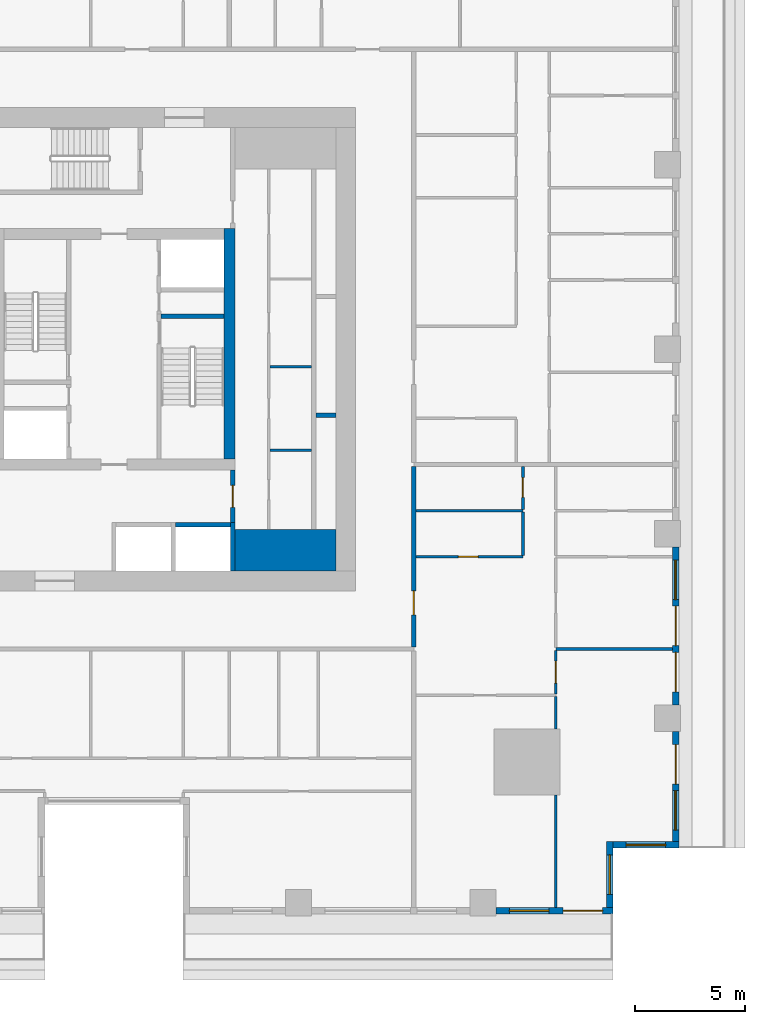
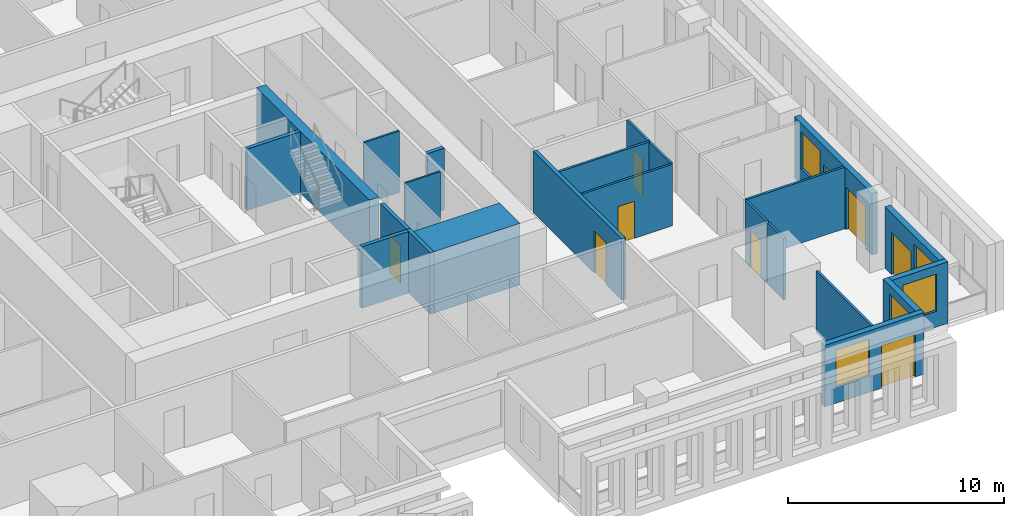
# One storey, part 5 of 15: 23 walls, 9 doors, 5 windows, 14 openings.
"""IFC4 building model written with IfcOpenShell, lengths in metres."""

from ifc_helpers import new_model, si_unit, direction, frame, frame_2d, origin, place, context, subcontext, project, spatial, rectangle, extrude, material, layer, layer_set, type_object, element, fill, save


model = new_model("IFC4")

# Units and contexts
model_context = context("Model", 3, precision=1e-05, world=origin(), true_north=direction((0.0, 1.0)))
body_context = subcontext(model_context, "Body", "Model", "MODEL_VIEW")
ifc_project = project(units=[si_unit("LENGTHUNIT", "METRE"), si_unit("AREAUNIT", "SQUARE_METRE"), si_unit("VOLUMEUNIT", "CUBIC_METRE"), si_unit("PLANEANGLEUNIT", "RADIAN"), si_unit("MASSUNIT", "GRAM", prefix="KILO")], contexts=[model_context])

# Site, building, storey
site_placement = place(None, origin())
site = spatial("IfcSite", under=ifc_project, at=site_placement, CompositionType="ELEMENT")
building_placement = place(site_placement, origin())
building = spatial("IfcBuilding", under=site, at=building_placement, Name="Khepri Terraces", CompositionType="ELEMENT")
storey_placement = place(building_placement, frame((0.0, 0.0, 30.89990234375)))
storey = spatial("IfcBuildingStorey", under=building, at=storey_placement, Name="L06", CompositionType="ELEMENT", Elevation=30.89990234375)

# Walls
ifc_material_1 = material(Name="Concrete C80/95", Category="concrete")
ifc_layer_1 = layer(ifc_material_1, 1.89990234375, Name="Concrete C80/95", Category="concrete")
ifc_layer_set_1 = layer_set([ifc_layer_1], Name="Concrete C80/95")
wall_type_1 = type_object("IfcWallType", Name="Core wall 1900 C80/95", PredefinedType="SHEAR", material=ifc_layer_set_1)
wall_1_placement = place(storey_placement, frame((5.5, -9.14990234375, 0.0), z_axis=(0.0, 0.0, 1.0), x_axis=(1.0, 0.0, 0.0)))
element("IfcWall", 1, at=wall_1_placement, inside=storey, type_object=wall_type_1, Name="Core wall PR02 L06", PredefinedType="SHEAR", context=body_context, shape_type="SweptSolid", body=[
    extrude(rectangle(XDim=4.60009765625, YDim=1.89990234375, at=frame_2d((2.300048828125, 0.0))), origin(), (0.0, 0.0, 1.0), 3.47998046875),
])
ifc_layer_2 = layer(ifc_material_1, 0.199951171875, Name="Concrete C80/95", Category="concrete")
ifc_layer_set_2 = layer_set([ifc_layer_2], Name="Concrete C80/95")
wall_type_2 = type_object("IfcWallType", Name="Core wall 200 C80/95", PredefinedType="SHEAR", material=ifc_layer_set_2)
wall_2_placement = place(storey_placement, frame((2.14990234375, 1.5, 0.0), z_axis=(0.0, 0.0, 1.0), x_axis=(1.0, 0.0, 0.0)))
element("IfcWall", 2, at=wall_2_placement, inside=storey, type_object=wall_type_2, Name="Core wall ST04 L06", PredefinedType="SHEAR", context=body_context, shape_type="SweptSolid", body=[
    extrude(rectangle(XDim=2.85009765625, YDim=0.199951171875, at=frame_2d((1.425048828125, 0.0))), origin(), (0.0, 0.0, 1.0), 3.47998046875),
])
wall_3_placement = place(storey_placement, frame((5.39990234375, -10.10009765625, 0.0), z_axis=(0.0, 0.0, 1.0), x_axis=(0.0, 1.0, 0.0)))
element("IfcWall", 3, at=wall_3_placement, inside=storey, type_object=wall_type_2, Name="Core wall SH03 L06", PredefinedType="SHEAR", context=body_context, shape_type="SweptSolid", body=[
    extrude(rectangle(XDim=2.2001953125, YDim=0.199951171875, at=frame_2d((1.10009765625, 0.0))), origin(), (0.0, 0.0, 1.0), 3.47998046875),
])
wall_4_placement = place(storey_placement, frame((2.800048828125, -8.0, 0.0), z_axis=(0.0, 0.0, 1.0), x_axis=(1.0, 0.0, 0.0)))
element("IfcWall", 4, at=wall_4_placement, inside=storey, type_object=wall_type_2, Name="Core wall SH07 L06", PredefinedType="SHEAR", context=body_context, shape_type="SweptSolid", body=[
    extrude(rectangle(XDim=2.5, YDim=0.199951171875, at=frame_2d((1.25, 0.0))), origin(), (0.0, 0.0, 1.0), 3.47998046875),
])
wall_5_placement = place(storey_placement, frame((9.199951171875, -3.0, 0.0), z_axis=(0.0, 0.0, 1.0), x_axis=(1.0, 0.0, 0.0)))
element("IfcWall", 5, at=wall_5_placement, inside=storey, type_object=wall_type_2, Name="Core wall SH11 L06", PredefinedType="SHEAR", context=body_context, shape_type="SweptSolid", body=[
    extrude(rectangle(XDim=0.900146484375, YDim=0.199951171875, at=frame_2d((0.4501953125, 0.0))), origin(), (0.0, 0.0, 1.0), 3.47998046875),
])
ifc_layer_3 = layer(ifc_material_1, 0.5, Name="Concrete C80/95", Category="concrete")
ifc_layer_set_3 = layer_set([ifc_layer_3], Name="Concrete C80/95")
wall_type_3 = type_object("IfcWallType", Name="Core wall 500 C80/95", PredefinedType="SHEAR", material=ifc_layer_set_3)
wall_6_placement = place(storey_placement, frame((5.25, -5.0, 0.0), z_axis=(0.0, 0.0, 1.0), x_axis=(0.0, 1.0, 0.0)))
element("IfcWall", 6, at=wall_6_placement, inside=storey, type_object=wall_type_3, Name="Core wall BX03 L06", PredefinedType="SHEAR", context=body_context, shape_type="SweptSolid", body=[
    extrude(rectangle(XDim=10.5, YDim=0.5, at=frame_2d((5.25, 0.0))), origin(), (0.0, 0.0, 1.0), 3.47998046875),
])
ifc_material_2 = material(Name="Fire-rated gypsum board partition")
ifc_layer_4 = layer(ifc_material_2, 0.10009765625, Name="Fire-rated gypsum board partition")
ifc_layer_set_4 = layer_set([ifc_layer_4], Name="Fire-rated gypsum board partition")
wall_type_4 = type_object("IfcWallType", Name="WL-CORE-PART-100", PredefinedType="PARTITIONING", material=ifc_layer_set_4)
for number, where, z_axis, x_axis, name in (
    (7, (7.10009765625, -4.60009765625, 0.0), (0.0, 0.0, 1.0), (1.0, 0.0, 0.0), "Core partition PT04 L06"),
    (8, (7.10009765625, -0.800048828125, 0.0), (0.0, 0.0, 1.0), (1.0, 0.0, 0.0), "Core partition PT05 L06"),
):
    element("IfcWall", number, at=place(storey_placement, frame(where, z_axis=z_axis, x_axis=x_axis)), inside=storey, type_object=wall_type_4, Name=name, PredefinedType="PARTITIONING", context=body_context, shape_type="SweptSolid", body=[
        extrude(rectangle(XDim=1.89990234375, YDim=0.10009765625, at=frame_2d((0.949951171875, 0.0))), origin(), (0.0, 0.0, 1.0), 3.47998046875),
    ])

# Wall, opening, door
ifc_layer_5 = layer(ifc_material_2, 0.199951171875, Name="Fire-rated gypsum board partition")
ifc_layer_set_5 = layer_set([ifc_layer_5], Name="Fire-rated gypsum board partition")
wall_type_5 = type_object("IfcWallType", Name="WL-CORE-PART-200", PredefinedType="PARTITIONING", material=ifc_layer_set_5)
wall_7_placement = place(storey_placement, frame((5.39990234375, -7.89990234375, 0.0), z_axis=(0.0, 0.0, 1.0), x_axis=(0.0, 1.0, 0.0)))
wall_7 = element("IfcWall", 9, at=wall_7_placement, inside=storey, type_object=wall_type_5, Name="Core partition PT03 L06", PredefinedType="PARTITIONING", context=body_context, shape_type="SweptSolid", body=[
    extrude(rectangle(XDim=2.39990234375, YDim=0.199951171875, at=frame_2d((1.199951171875, 0.0))), origin(), (0.0, 0.0, 1.0), 3.47998046875),
])
opening_1_placement = place(wall_7_placement, frame((0.699951171875, 0.0, 0.0)))
opening_1 = element("IfcOpeningElement", 10, at=opening_1_placement, cuts=wall_7, Name="Opening L06-C19", PredefinedType="OPENING", context=body_context, shape_type="SweptSolid", body=[
    extrude(rectangle(XDim=1.0, YDim=2.10009765625, at=frame_2d((0.5, 1.050048828125))), frame((0.0, 0.10986328125, 0.0), z_axis=(0.0, -1.0, 0.0), x_axis=(1.0, 0.0, 0.0)), (0.0, 0.0, 1.0), 0.219970703125),
])
ifc_material_3 = material(Name="Painted steel", Category="steel")
door_type_1 = type_object("IfcDoorType", Name="DR-CORE-LOBBY-1000", OperationType="NOTDEFINED", PredefinedType="DOOR", material=ifc_material_3)
door_1_placement = place(opening_1_placement, origin())
door_1 = element("IfcDoor", 11, at=door_1_placement, inside=storey, type_object=door_type_1, Name="Lobby door L06-C19", OperationType="SINGLE_SWING_RIGHT", OverallHeight=2.10009765625, OverallWidth=1.0, PredefinedType="DOOR", context=body_context, shape_type="SweptSolid", body=[
    extrude(rectangle(XDim=1.0, YDim=2.10009765625, at=frame_2d((0.5, 1.050048828125))), frame((0.0, 0.02490234375, 0.0), z_axis=(0.0, -1.0, 0.0), x_axis=(1.0, 0.0, 0.0)), (0.0, 0.0, 1.0), 0.050048828125),
])
fill(opening_1, door_1)

ifc_material_4 = material(Name="Fire-rated gypsum plasterboard partition, mineral wool")
ifc_layer_6 = layer(ifc_material_4, 0.199951171875, Name="Fire-rated gypsum plasterboard partition, mineral wool")
ifc_layer_set_6 = layer_set([ifc_layer_6], Name="Fire-rated gypsum plasterboard partition, mineral wool")
wall_type_6 = type_object("IfcWallType", Name="WL-CORR-200", PredefinedType="PARTITIONING", material=ifc_layer_set_6)
wall_8_placement = place(storey_placement, frame((13.64990234375, -13.550048828125, 0.0), z_axis=(0.0, 0.0, 1.0), x_axis=(0.0, 1.0, 0.0)))
wall_8 = element("IfcWall", 12, at=wall_8_placement, inside=storey, type_object=wall_type_6, Name="Partition P-028 L06", PredefinedType="PARTITIONING", context=body_context, shape_type="SweptSolid", body=[
    extrude(rectangle(XDim=8.199951171875, YDim=0.199951171875, at=frame_2d((4.10009765625, 0.0))), origin(), (0.0, 0.0, 1.0), 3.47998046875),
])
opening_2_placement = place(wall_8_placement, frame((1.449951171875, 0.0, 0.0)))
opening_2 = element("IfcOpeningElement", 13, at=opening_2_placement, cuts=wall_8, Name="Opening D1", PredefinedType="OPENING", context=body_context, shape_type="SweptSolid", body=[
    extrude(rectangle(XDim=1.10009765625, YDim=2.39990234375, at=frame_2d((0.550048828125, 1.199951171875))), frame((0.0, 0.10986328125, 0.0), z_axis=(0.0, -1.0, 0.0), x_axis=(1.0, 0.0, 0.0)), (0.0, 0.0, 1.0), 0.219970703125),
])
ifc_material_5 = material(Name="Solid-core timber door leaf, flat entrance door", Category="wood")
door_type_2 = type_object("IfcDoorType", Name="DR-ENT-1100", OperationType="NOTDEFINED", PredefinedType="DOOR", material=ifc_material_5)
door_2_placement = place(opening_2_placement, frame((1.10009765625, 0.0, 0.0), z_axis=(0.0, 0.0, 1.0), x_axis=(-1.0, 0.0, 0.0)))
door_2 = element("IfcDoor", 14, at=door_2_placement, inside=storey, type_object=door_type_2, Name="Flat B1 entrance door", OperationType="SINGLE_SWING_RIGHT", OverallHeight=2.39990234375, OverallWidth=1.10009765625, PredefinedType="DOOR", context=body_context, shape_type="SweptSolid", body=[
    extrude(rectangle(XDim=1.10009765625, YDim=2.39990234375, at=frame_2d((0.550048828125, 1.199951171875))), frame((0.0, 0.02490234375, 0.0), z_axis=(0.0, -1.0, 0.0), x_axis=(1.0, 0.0, 0.0)), (0.0, 0.0, 1.0), 0.050048828125),
])
fill(opening_2, door_2)

# Wall, opening, window
ifc_material_6 = material(Name="Precast concrete C50/60 warm stone", Category="masonry")
ifc_layer_7 = layer(ifc_material_6, 0.300048828125, Name="Precast concrete C50/60 warm stone", Category="masonry")
ifc_layer_set_7 = layer_set([ifc_layer_7], Name="Precast concrete C50/60 warm stone")
wall_type_7 = type_object("IfcWallType", Name="WL-EXT-PRECAST-300", PredefinedType="STANDARD", material=ifc_layer_set_7)
wall_9_placement = place(storey_placement, frame((22.719970703125, -22.570068359375, 0.0), z_axis=(0.0, 0.0, 1.0), x_axis=(1.0, 0.0, 0.0)))
wall_9 = element("IfcWall", 15, at=wall_9_placement, inside=storey, type_object=wall_type_7, Name="External wall L06 S", PredefinedType="STANDARD", context=body_context, shape_type="SweptSolid", body=[
    extrude(rectangle(XDim=3.0, YDim=0.300048828125, at=frame_2d((1.5, 0.0))), origin(), (0.0, 0.0, 1.0), 3.47998046875),
])
opening_3_placement = place(wall_9_placement, frame((0.60009765625, 0.0, 0.89990234375)))
opening_3 = element("IfcOpeningElement", 16, at=opening_3_placement, cuts=wall_9, Name="Opening W1", PredefinedType="OPENING", context=body_context, shape_type="SweptSolid", body=[
    extrude(rectangle(XDim=1.800048828125, YDim=2.10009765625, at=frame_2d((0.89990234375, 1.050048828125))), frame((0.0, 0.16015625, 0.0), z_axis=(0.0, -1.0, 0.0), x_axis=(1.0, 0.0, 0.0)), (0.0, 0.0, 1.0), 0.320068359375),
])
ifc_material_7 = material(Name="Clear glass", Category="glass")
window_type = type_object("IfcWindowType", Name="WIN-RES-1800x2100", PartitioningType="SINGLE_PANEL", PredefinedType="WINDOW", material=ifc_material_7)
window_1_placement = place(opening_3_placement, origin())
window_1 = element("IfcWindow", 17, at=window_1_placement, inside=storey, type_object=window_type, Name="Window L06 S", OverallHeight=2.10009765625, OverallWidth=1.800048828125, PartitioningType="SINGLE_PANEL", PredefinedType="WINDOW", context=body_context, shape_type="SweptSolid", body=[
    extrude(rectangle(XDim=1.800048828125, YDim=2.10009765625, at=frame_2d((0.89990234375, 1.050048828125))), frame((0.0, 0.030029296875, 0.0), z_axis=(0.0, -1.0, 0.0), x_axis=(1.0, 0.0, 0.0)), (0.0, 0.0, 1.0), 0.06005859375),
])
fill(opening_3, window_1)

# Wall, openings, door, window
wall_10_placement = place(storey_placement, frame((25.570068359375, -22.419921875, 0.0), z_axis=(0.0, 0.0, 1.0), x_axis=(0.0, 1.0, 0.0)))
wall_10 = element("IfcWall", 18, at=wall_10_placement, inside=storey, type_object=wall_type_7, Name="External wall L06 E", PredefinedType="STANDARD", context=body_context, shape_type="SweptSolid", body=[
    extrude(rectangle(XDim=5.02001953125, YDim=0.300048828125, at=frame_2d((2.510009765625, 0.0))), origin(), (0.0, 0.0, 1.0), 3.47998046875),
])
opening_4_placement = place(wall_10_placement, frame((0.52001953125, 0.0, 0.89990234375)))
opening_4 = element("IfcOpeningElement", 19, at=opening_4_placement, cuts=wall_10, Name="Opening W1", PredefinedType="OPENING", context=body_context, shape_type="SweptSolid", body=[
    extrude(rectangle(XDim=1.800048828125, YDim=2.10009765625, at=frame_2d((0.89990234375, 1.050048828125))), frame((0.0, 0.16015625, 0.0), z_axis=(0.0, -1.0, 0.0), x_axis=(1.0, 0.0, 0.0)), (0.0, 0.0, 1.0), 0.320068359375),
])
opening_5_placement = place(wall_10_placement, frame((2.6201171875, 0.0, 0.0)))
opening_5 = element("IfcOpeningElement", 20, at=opening_5_placement, cuts=wall_10, Name="Opening ED-L06-01", PredefinedType="OPENING", context=body_context, shape_type="SweptSolid", body=[
    extrude(rectangle(XDim=1.800048828125, YDim=2.39990234375, at=frame_2d((0.89990234375, 1.199951171875))), frame((0.0, 0.16015625, 0.0), z_axis=(0.0, -1.0, 0.0), x_axis=(1.0, 0.0, 0.0)), (0.0, 0.0, 1.0), 0.320068359375),
])
ifc_material_8 = material(Name="Anodised aluminium bronze glazed door", Category="aluminium")
door_type_3 = type_object("IfcDoorType", Name="DR-BAL-SLIDE-1800x2400", OperationType="NOTDEFINED", PredefinedType="DOOR", material=ifc_material_8)
door_3_placement = place(opening_5_placement, origin())
door_3 = element("IfcDoor", 21, at=door_3_placement, inside=storey, type_object=door_type_3, Name="Balcony door L06 E", OperationType="SLIDING_TO_RIGHT", OverallHeight=2.39990234375, OverallWidth=1.800048828125, PredefinedType="DOOR", context=body_context, shape_type="SweptSolid", body=[
    extrude(rectangle(XDim=1.800048828125, YDim=2.39990234375, at=frame_2d((0.89990234375, 1.199951171875))), frame((0.0, 0.02490234375, 0.0), z_axis=(0.0, -1.0, 0.0), x_axis=(1.0, 0.0, 0.0)), (0.0, 0.0, 1.0), 0.050048828125),
])
fill(opening_5, door_3)
window_2_placement = place(opening_4_placement, origin())
window_2 = element("IfcWindow", 22, at=window_2_placement, inside=storey, type_object=window_type, Name="Window L06 E", OverallHeight=2.10009765625, OverallWidth=1.800048828125, PartitioningType="SINGLE_PANEL", PredefinedType="WINDOW", context=body_context, shape_type="SweptSolid", body=[
    extrude(rectangle(XDim=1.800048828125, YDim=2.10009765625, at=frame_2d((0.89990234375, 1.050048828125))), frame((0.0, 0.030029296875, 0.0), z_axis=(0.0, -1.0, 0.0), x_axis=(1.0, 0.0, 0.0)), (0.0, 0.0, 1.0), 0.06005859375),
])
fill(opening_4, window_2)

# Wall, openings, doors, window
wall_11_placement = place(storey_placement, frame((25.570068359375, -16.199951171875, 0.0), z_axis=(0.0, 0.0, 1.0), x_axis=(0.0, 1.0, 0.0)))
wall_11 = element("IfcWall", 23, at=wall_11_placement, inside=storey, type_object=wall_type_7, Name="External wall L06 E", PredefinedType="STANDARD", context=body_context, shape_type="SweptSolid", body=[
    extrude(rectangle(XDim=7.199951171875, YDim=0.300048828125, at=frame_2d((3.60009765625, 0.0))), origin(), (0.0, 0.0, 1.0), 3.47998046875),
])
opening_6_placement = place(wall_11_placement, frame((0.60009765625, 0.0, 0.0)))
opening_6 = element("IfcOpeningElement", 24, at=opening_6_placement, cuts=wall_11, Name="Opening ED-L06-02", PredefinedType="OPENING", context=body_context, shape_type="SweptSolid", body=[
    extrude(rectangle(XDim=1.800048828125, YDim=2.39990234375, at=frame_2d((0.89990234375, 1.199951171875))), frame((0.0, 0.16015625, 0.0), z_axis=(0.0, -1.0, 0.0), x_axis=(1.0, 0.0, 0.0)), (0.0, 0.0, 1.0), 0.320068359375),
])
opening_7_placement = place(wall_11_placement, frame((2.699951171875, 0.0, 0.0)))
opening_7 = element("IfcOpeningElement", 25, at=opening_7_placement, cuts=wall_11, Name="Opening ED-L06-03", PredefinedType="OPENING", context=body_context, shape_type="SweptSolid", body=[
    extrude(rectangle(XDim=1.800048828125, YDim=2.39990234375, at=frame_2d((0.89990234375, 1.199951171875))), frame((0.0, 0.16015625, 0.0), z_axis=(0.0, -1.0, 0.0), x_axis=(1.0, 0.0, 0.0)), (0.0, 0.0, 1.0), 0.320068359375),
])
opening_8_placement = place(wall_11_placement, frame((4.800048828125, 0.0, 0.89990234375)))
opening_8 = element("IfcOpeningElement", 26, at=opening_8_placement, cuts=wall_11, Name="Opening W1", PredefinedType="OPENING", context=body_context, shape_type="SweptSolid", body=[
    extrude(rectangle(XDim=1.800048828125, YDim=2.10009765625, at=frame_2d((0.89990234375, 1.050048828125))), frame((0.0, 0.16015625, 0.0), z_axis=(0.0, -1.0, 0.0), x_axis=(1.0, 0.0, 0.0)), (0.0, 0.0, 1.0), 0.320068359375),
])
door_4_placement = place(opening_6_placement, origin())
door_4 = element("IfcDoor", 27, at=door_4_placement, inside=storey, type_object=door_type_3, Name="Balcony door L06 E", OperationType="SLIDING_TO_LEFT", OverallHeight=2.39990234375, OverallWidth=1.800048828125, PredefinedType="DOOR", context=body_context, shape_type="SweptSolid", body=[
    extrude(rectangle(XDim=1.800048828125, YDim=2.39990234375, at=frame_2d((0.89990234375, 1.199951171875))), frame((0.0, 0.02490234375, 0.0), z_axis=(0.0, -1.0, 0.0), x_axis=(1.0, 0.0, 0.0)), (0.0, 0.0, 1.0), 0.050048828125),
])
fill(opening_6, door_4)
door_5_placement = place(opening_7_placement, origin())
door_5 = element("IfcDoor", 28, at=door_5_placement, inside=storey, type_object=door_type_3, Name="Balcony door L06 E", OperationType="SLIDING_TO_RIGHT", OverallHeight=2.39990234375, OverallWidth=1.800048828125, PredefinedType="DOOR", context=body_context, shape_type="SweptSolid", body=[
    extrude(rectangle(XDim=1.800048828125, YDim=2.39990234375, at=frame_2d((0.89990234375, 1.199951171875))), frame((0.0, 0.02490234375, 0.0), z_axis=(0.0, -1.0, 0.0), x_axis=(1.0, 0.0, 0.0)), (0.0, 0.0, 1.0), 0.050048828125),
])
fill(opening_7, door_5)
window_3_placement = place(opening_8_placement, origin())
window_3 = element("IfcWindow", 29, at=window_3_placement, inside=storey, type_object=window_type, Name="Window L06 E", OverallHeight=2.10009765625, OverallWidth=1.800048828125, PartitioningType="SINGLE_PANEL", PredefinedType="WINDOW", context=body_context, shape_type="SweptSolid", body=[
    extrude(rectangle(XDim=1.800048828125, YDim=2.10009765625, at=frame_2d((0.89990234375, 1.050048828125))), frame((0.0, 0.030029296875, 0.0), z_axis=(0.0, -1.0, 0.0), x_axis=(1.0, 0.0, 0.0)), (0.0, 0.0, 1.0), 0.06005859375),
])
fill(opening_8, window_3)

# Wall, openings, door, window
wall_12_placement = place(storey_placement, frame((17.39990234375, -25.570068359375, 0.0), z_axis=(0.0, 0.0, 1.0), x_axis=(1.0, 0.0, 0.0)))
wall_12 = element("IfcWall", 30, at=wall_12_placement, inside=storey, type_object=wall_type_7, Name="External wall L06 S", PredefinedType="STANDARD", context=body_context, shape_type="SweptSolid", body=[
    extrude(rectangle(XDim=5.320068359375, YDim=0.300048828125, at=frame_2d((2.66015625, 0.0))), origin(), (0.0, 0.0, 1.0), 3.47998046875),
])
opening_9_placement = place(wall_12_placement, frame((0.60009765625, 0.0, 0.89990234375)))
opening_9 = element("IfcOpeningElement", 31, at=opening_9_placement, cuts=wall_12, Name="Opening W1", PredefinedType="OPENING", context=body_context, shape_type="SweptSolid", body=[
    extrude(rectangle(XDim=1.800048828125, YDim=2.10009765625, at=frame_2d((0.89990234375, 1.050048828125))), frame((0.0, 0.16015625, 0.0), z_axis=(0.0, -1.0, 0.0), x_axis=(1.0, 0.0, 0.0)), (0.0, 0.0, 1.0), 0.320068359375),
])
opening_10_placement = place(wall_12_placement, frame((3.044921875, 0.0, 0.0)))
opening_10 = element("IfcOpeningElement", 32, at=opening_10_placement, cuts=wall_12, Name="Opening ED-L06-20", PredefinedType="OPENING", context=body_context, shape_type="SweptSolid", body=[
    extrude(rectangle(XDim=1.800048828125, YDim=2.39990234375, at=frame_2d((0.89990234375, 1.199951171875))), frame((0.0, 0.16015625, 0.0), z_axis=(0.0, -1.0, 0.0), x_axis=(1.0, 0.0, 0.0)), (0.0, 0.0, 1.0), 0.320068359375),
])
door_6_placement = place(opening_10_placement, origin())
door_6 = element("IfcDoor", 33, at=door_6_placement, inside=storey, type_object=door_type_3, Name="Balcony door L06 S", OperationType="SLIDING_TO_RIGHT", OverallHeight=2.39990234375, OverallWidth=1.800048828125, PredefinedType="DOOR", context=body_context, shape_type="SweptSolid", body=[
    extrude(rectangle(XDim=1.800048828125, YDim=2.39990234375, at=frame_2d((0.89990234375, 1.199951171875))), frame((0.0, 0.02490234375, 0.0), z_axis=(0.0, -1.0, 0.0), x_axis=(1.0, 0.0, 0.0)), (0.0, 0.0, 1.0), 0.050048828125),
])
fill(opening_10, door_6)
window_4_placement = place(opening_9_placement, origin())
window_4 = element("IfcWindow", 34, at=window_4_placement, inside=storey, type_object=window_type, Name="Window L06 S", OverallHeight=2.10009765625, OverallWidth=1.800048828125, PartitioningType="SINGLE_PANEL", PredefinedType="WINDOW", context=body_context, shape_type="SweptSolid", body=[
    extrude(rectangle(XDim=1.800048828125, YDim=2.10009765625, at=frame_2d((0.89990234375, 1.050048828125))), frame((0.0, 0.030029296875, 0.0), z_axis=(0.0, -1.0, 0.0), x_axis=(1.0, 0.0, 0.0)), (0.0, 0.0, 1.0), 0.06005859375),
])
fill(opening_9, window_4)

# Wall, opening, window
wall_13_placement = place(storey_placement, frame((22.570068359375, -25.419921875, 0.0), z_axis=(0.0, 0.0, 1.0), x_axis=(0.0, 1.0, 0.0)))
wall_13 = element("IfcWall", 35, at=wall_13_placement, inside=storey, type_object=wall_type_7, Name="External wall L06 E", PredefinedType="STANDARD", context=body_context, shape_type="SweptSolid", body=[
    extrude(rectangle(XDim=3.0, YDim=0.300048828125, at=frame_2d((1.5, 0.0))), origin(), (0.0, 0.0, 1.0), 3.47998046875),
])
opening_11_placement = place(wall_13_placement, frame((0.60009765625, 0.0, 0.89990234375)))
opening_11 = element("IfcOpeningElement", 36, at=opening_11_placement, cuts=wall_13, Name="Opening W1", PredefinedType="OPENING", context=body_context, shape_type="SweptSolid", body=[
    extrude(rectangle(XDim=1.800048828125, YDim=2.10009765625, at=frame_2d((0.89990234375, 1.050048828125))), frame((0.0, 0.16015625, 0.0), z_axis=(0.0, -1.0, 0.0), x_axis=(1.0, 0.0, 0.0)), (0.0, 0.0, 1.0), 0.320068359375),
])
window_5_placement = place(opening_11_placement, origin())
window_5 = element("IfcWindow", 37, at=window_5_placement, inside=storey, type_object=window_type, Name="Window L06 E", OverallHeight=2.10009765625, OverallWidth=1.800048828125, PartitioningType="SINGLE_PANEL", PredefinedType="WINDOW", context=body_context, shape_type="SweptSolid", body=[
    extrude(rectangle(XDim=1.800048828125, YDim=2.10009765625, at=frame_2d((0.89990234375, 1.050048828125))), frame((0.0, 0.030029296875, 0.0), z_axis=(0.0, -1.0, 0.0), x_axis=(1.0, 0.0, 0.0)), (0.0, 0.0, 1.0), 0.06005859375),
])
fill(opening_11, window_5)

# Walls
ifc_material_9 = material(Name="Gypsum plasterboard partition")
ifc_layer_8 = layer(ifc_material_9, 0.1201171875, Name="Gypsum plasterboard partition")
ifc_layer_set_8 = layer_set([ifc_layer_8], Name="Gypsum plasterboard partition")
wall_type_8 = type_object("IfcWallType", Name="WL-PART-120", PredefinedType="PARTITIONING", material=ifc_layer_set_8)
wall_14_placement = place(storey_placement, frame((20.1201171875, -25.419921875, 0.0), z_axis=(0.0, 0.0, 1.0), x_axis=(0.0, 1.0, 0.0)))
element("IfcWall", 38, at=wall_14_placement, inside=storey, type_object=wall_type_8, Name="Partition P-005 L06", PredefinedType="PARTITIONING", context=body_context, shape_type="SweptSolid", body=[
    extrude(rectangle(XDim=5.119873046875, YDim=0.1201171875, at=frame_2d((2.56005859375, 0.0))), origin(), (0.0, 0.0, 1.0), 3.47998046875),
])
wall_15_placement = place(storey_placement, frame((20.1201171875, -17.300048828125, 0.0), z_axis=(0.0, 0.0, 1.0), x_axis=(0.0, 1.0, 0.0)))
element("IfcWall", 39, at=wall_15_placement, inside=storey, type_object=wall_type_8, Name="Partition P-019 L06", PredefinedType="PARTITIONING", context=body_context, shape_type="SweptSolid", body=[
    extrude(rectangle(XDim=1.489990234375, YDim=0.1201171875, at=frame_2d((0.7451171875, 0.0))), origin(), (0.0, 0.0, 1.0), 3.47998046875),
])

# Wall, opening, door
wall_16_placement = place(storey_placement, frame((20.1201171875, -15.68994140625, 0.0), z_axis=(0.0, 0.0, 1.0), x_axis=(0.0, 1.0, 0.0)))
wall_16 = element("IfcWall", 40, at=wall_16_placement, inside=storey, type_object=wall_type_8, Name="Partition P-021 L06", PredefinedType="PARTITIONING", context=body_context, shape_type="SweptSolid", body=[
    extrude(rectangle(XDim=1.97998046875, YDim=0.1201171875, at=frame_2d((0.989990234375, 0.0))), origin(), (0.0, 0.0, 1.0), 3.47998046875),
])
opening_12_placement = place(wall_16_placement, frame((0.489990234375, 0.0, 0.0)))
opening_12 = element("IfcOpeningElement", 41, at=opening_12_placement, cuts=wall_16, Name="Opening D2", PredefinedType="OPENING", context=body_context, shape_type="SweptSolid", body=[
    extrude(rectangle(XDim=1.0, YDim=2.10009765625, at=frame_2d((0.5, 1.050048828125))), frame((0.0, 0.070068359375, 0.0), z_axis=(0.0, -1.0, 0.0), x_axis=(1.0, 0.0, 0.0)), (0.0, 0.0, 1.0), 0.14013671875),
])
ifc_material_10 = material(Name="Timber door leaf, living room door", Category="wood")
door_type_4 = type_object("IfcDoorType", Name="DR-INT-1000", OperationType="NOTDEFINED", PredefinedType="DOOR", material=ifc_material_10)
door_7_placement = place(opening_12_placement, frame((1.0, 0.0, 0.0), z_axis=(0.0, 0.0, 1.0), x_axis=(-1.0, 0.0, 0.0)))
door_7 = element("IfcDoor", 42, at=door_7_placement, inside=storey, type_object=door_type_4, Name="Door Living Room", OperationType="SINGLE_SWING_LEFT", OverallHeight=2.10009765625, OverallWidth=1.0, PredefinedType="DOOR", context=body_context, shape_type="SweptSolid", body=[
    extrude(rectangle(XDim=1.0, YDim=2.10009765625, at=frame_2d((0.5, 1.050048828125))), frame((0.0, 0.02490234375, 0.0), z_axis=(0.0, -1.0, 0.0), x_axis=(1.0, 0.0, 0.0)), (0.0, 0.0, 1.0), 0.050048828125),
])
fill(opening_12, door_7)

# Wall
wall_17_placement = place(storey_placement, frame((20.1201171875, -13.64990234375, 0.0), z_axis=(0.0, 0.0, 1.0), x_axis=(1.0, 0.0, 0.0)))
element("IfcWall", 43, at=wall_17_placement, inside=storey, type_object=wall_type_8, Name="Partition P-023 L06", PredefinedType="PARTITIONING", context=body_context, shape_type="SweptSolid", body=[
    extrude(rectangle(XDim=5.2998046875, YDim=0.1201171875, at=frame_2d((2.64990234375, 0.0))), origin(), (0.0, 0.0, 1.0), 3.47998046875),
])

# Wall, opening, door
wall_18_placement = place(storey_placement, frame((13.75, -9.449951171875, 0.0), z_axis=(0.0, 0.0, 1.0), x_axis=(1.0, 0.0, 0.0)))
wall_18 = element("IfcWall", 44, at=wall_18_placement, inside=storey, type_object=wall_type_8, Name="Partition P-033 L06", PredefinedType="PARTITIONING", context=body_context, shape_type="SweptSolid", body=[
    extrude(rectangle(XDim=4.8701171875, YDim=0.1201171875, at=frame_2d((2.43505859375, 0.0))), origin(), (0.0, 0.0, 1.0), 3.47998046875),
])
opening_13_placement = place(wall_18_placement, frame((1.93505859375, 0.0, 0.0)))
opening_13 = element("IfcOpeningElement", 45, at=opening_13_placement, cuts=wall_18, Name="Opening D4", PredefinedType="OPENING", context=body_context, shape_type="SweptSolid", body=[
    extrude(rectangle(XDim=0.89990234375, YDim=2.10009765625, at=frame_2d((0.449951171875, 1.050048828125))), frame((0.0, 0.070068359375, 0.0), z_axis=(0.0, -1.0, 0.0), x_axis=(1.0, 0.0, 0.0)), (0.0, 0.0, 1.0), 0.14013671875),
])
ifc_material_11 = material(Name="Timber door leaf, moisture resistant", Category="wood")
door_type_5 = type_object("IfcDoorType", Name="DR-WET-900", OperationType="NOTDEFINED", PredefinedType="DOOR", material=ifc_material_11)
door_8_placement = place(opening_13_placement, origin())
door_8 = element("IfcDoor", 46, at=door_8_placement, inside=storey, type_object=door_type_5, Name="Door Guest Bathroom", OperationType="SINGLE_SWING_LEFT", OverallHeight=2.10009765625, OverallWidth=0.89990234375, PredefinedType="DOOR", context=body_context, shape_type="SweptSolid", body=[
    extrude(rectangle(XDim=0.89990234375, YDim=2.10009765625, at=frame_2d((0.449951171875, 1.050048828125))), frame((0.0, 0.02490234375, 0.0), z_axis=(0.0, -1.0, 0.0), x_axis=(1.0, 0.0, 0.0)), (0.0, 0.0, 1.0), 0.050048828125),
])
fill(opening_13, door_8)

# Walls
wall_19_placement = place(storey_placement, frame((18.6201171875, -9.389892578125, 0.0), z_axis=(0.0, 0.0, 1.0), x_axis=(0.0, 1.0, 0.0)))
element("IfcWall", 47, at=wall_19_placement, inside=storey, type_object=wall_type_8, Name="Partition P-035 L06", PredefinedType="PARTITIONING", context=body_context, shape_type="SweptSolid", body=[
    extrude(rectangle(XDim=1.97998046875, YDim=0.1201171875, at=frame_2d((0.989990234375, 0.0))), origin(), (0.0, 0.0, 1.0), 3.47998046875),
])
wall_20_placement = place(storey_placement, frame((13.75, -7.35009765625, 0.0), z_axis=(0.0, 0.0, 1.0), x_axis=(1.0, 0.0, 0.0)))
element("IfcWall", 48, at=wall_20_placement, inside=storey, type_object=wall_type_8, Name="Partition P-038 L06", PredefinedType="PARTITIONING", context=body_context, shape_type="SweptSolid", body=[
    extrude(rectangle(XDim=4.8701171875, YDim=0.1201171875, at=frame_2d((2.43505859375, 0.0))), origin(), (0.0, 0.0, 1.0), 3.47998046875),
])

# Wall, opening, door
wall_21_placement = place(storey_placement, frame((18.6201171875, -7.2900390625, 0.0), z_axis=(0.0, 0.0, 1.0), x_axis=(0.0, 1.0, 0.0)))
wall_21 = element("IfcWall", 49, at=wall_21_placement, inside=storey, type_object=wall_type_8, Name="Partition P-041 L06", PredefinedType="PARTITIONING", context=body_context, shape_type="SweptSolid", body=[
    extrude(rectangle(XDim=1.93994140625, YDim=0.1201171875, at=frame_2d((0.969970703125, 0.0))), origin(), (0.0, 0.0, 1.0), 3.47998046875),
])
opening_14_placement = place(wall_21_placement, frame((0.5400390625, 0.0, 0.0)))
opening_14 = element("IfcOpeningElement", 50, at=opening_14_placement, cuts=wall_21, Name="Opening D3", PredefinedType="OPENING", context=body_context, shape_type="SweptSolid", body=[
    extrude(rectangle(XDim=0.89990234375, YDim=2.10009765625, at=frame_2d((0.449951171875, 1.050048828125))), frame((0.0, 0.070068359375, 0.0), z_axis=(0.0, -1.0, 0.0), x_axis=(1.0, 0.0, 0.0)), (0.0, 0.0, 1.0), 0.14013671875),
])
ifc_material_12 = material(Name="Timber door leaf", Category="wood")
door_type_6 = type_object("IfcDoorType", Name="DR-INT-900", OperationType="NOTDEFINED", PredefinedType="DOOR", material=ifc_material_12)
door_9_placement = place(opening_14_placement, origin())
door_9 = element("IfcDoor", 51, at=door_9_placement, inside=storey, type_object=door_type_6, Name="Door Kitchen", OperationType="SINGLE_SWING_RIGHT", OverallHeight=2.10009765625, OverallWidth=0.89990234375, PredefinedType="DOOR", context=body_context, shape_type="SweptSolid", body=[
    extrude(rectangle(XDim=0.89990234375, YDim=2.10009765625, at=frame_2d((0.449951171875, 1.050048828125))), frame((0.0, 0.02490234375, 0.0), z_axis=(0.0, -1.0, 0.0), x_axis=(1.0, 0.0, 0.0)), (0.0, 0.0, 1.0), 0.050048828125),
])
fill(opening_14, door_9)

save(model, "model.ifc")
